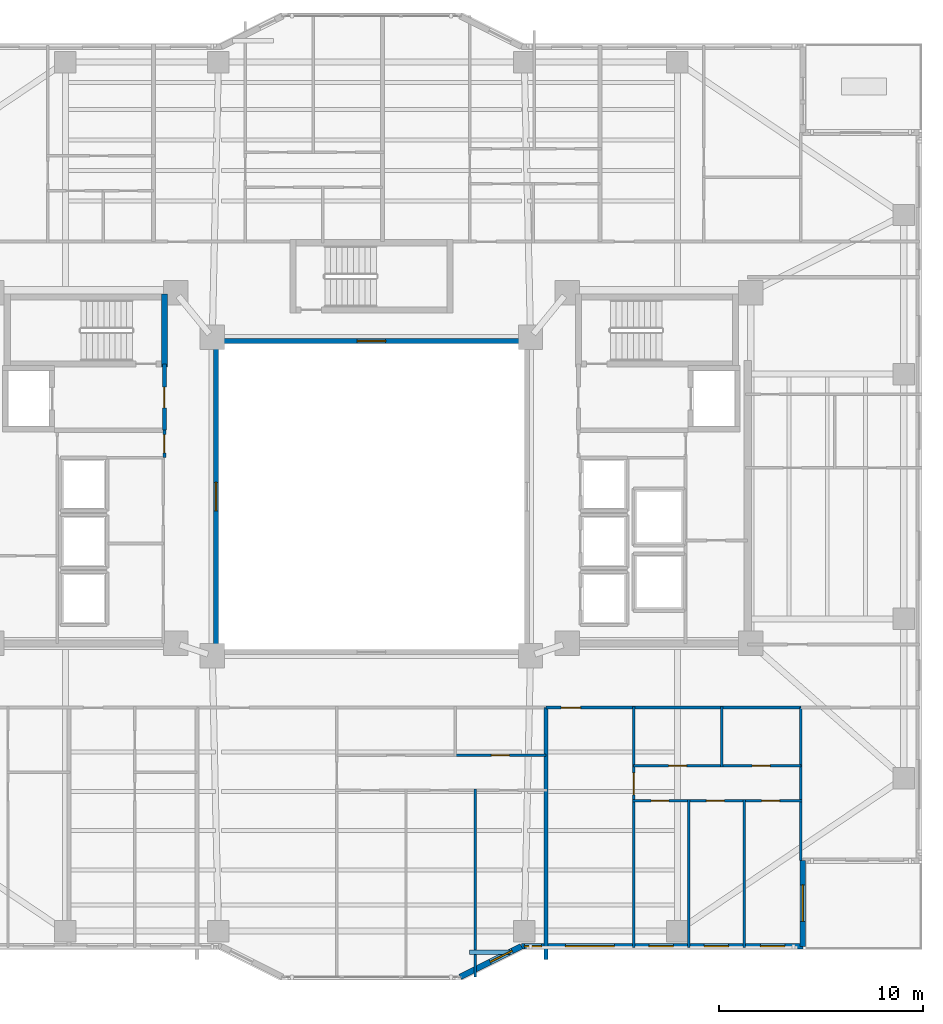
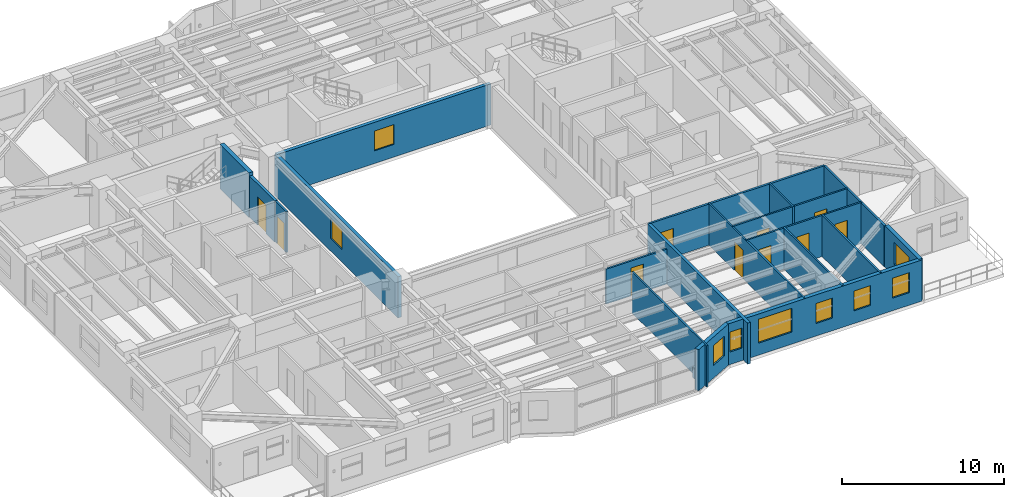
# One storey, part 8 of 19: 21 walls, 10 doors, 9 windows, 19 openings.
"""IFC4 building model written with IfcOpenShell, lengths in metres."""

from ifc_helpers import new_model, si_unit, direction, frame, frame_2d, origin, place, context, subcontext, project, spatial, rectangle, extrude, material, layer, layer_set, type_object, element, fill, save


model = new_model("IFC4")

# Units and contexts
model_context = context("Model", 3, precision=1e-05, world=origin(), true_north=direction((0.0, 1.0)))
body_context = subcontext(model_context, "Body", "Model", "MODEL_VIEW")
ifc_project = project(units=[si_unit("LENGTHUNIT", "METRE"), si_unit("AREAUNIT", "SQUARE_METRE"), si_unit("VOLUMEUNIT", "CUBIC_METRE"), si_unit("PLANEANGLEUNIT", "RADIAN"), si_unit("MASSUNIT", "GRAM", prefix="KILO")], contexts=[model_context])

# Site, building, storey
site_placement = place(None, origin())
site = spatial("IfcSite", under=ifc_project, at=site_placement, CompositionType="ELEMENT")
building_placement = place(site_placement, origin())
building = spatial("IfcBuilding", under=site, at=building_placement, Name="Tarnavaz Court Tower", CompositionType="ELEMENT")
storey_placement = place(building_placement, frame((0.0, 0.0, 78.300048828125)))
storey = spatial("IfcBuildingStorey", under=building, at=storey_placement, Name="L20", CompositionType="ELEMENT", Elevation=78.300048828125)

# Wall
ifc_material_1 = material(Name="Concrete C60/75", Category="concrete")
ifc_layer_1 = layer(ifc_material_1, 0.300048828125)
ifc_layer_set_1 = layer_set([ifc_layer_1], Name="Concrete C60/75")
wall_type_1 = type_object("IfcWallType", Name="WL-CORE-300-C60", PredefinedType="SHEAR", material=ifc_layer_set_1)
wall_1_placement = place(storey_placement, frame((-10.14990234375, 6.35009765625, 0.0), z_axis=(0.0, 0.0, 1.0), x_axis=(0.0, 1.0, 0.0)))
element("IfcWall", 1, at=wall_1_placement, inside=storey, type_object=wall_type_1, Name="L20 West Stair Core Wall 004", PredefinedType="SHEAR", context=body_context, shape_type="SweptSolid", body=[
    extrude(rectangle(XDim=3.58984375, YDim=0.300048828125, at=frame_2d((1.794921875, 0.0))), origin(), (0.0, 0.0, 1.0), 3.349853515625),
])

# Wall, opening, window
ifc_material_2 = material(Name="Precast Concrete C40/50", Category="concrete")
ifc_layer_2 = layer(ifc_material_2, 0.280029296875)
ifc_layer_set_2 = layer_set([ifc_layer_2], Name="Precast Concrete C40/50")
wall_type_2 = type_object("IfcWallType", Name="WL-EXT-280", PredefinedType="SOLIDWALL", material=ifc_layer_set_2)
wall_2_placement = place(storey_placement, frame((21.14990234375, -17.85009765625, 0.0), z_axis=(0.0, 0.0, 1.0), x_axis=(0.0, -1.0, 0.0)))
wall_2 = element("IfcWall", 2, at=wall_2_placement, inside=storey, type_object=wall_type_2, Name="L20 Exterior Terracotta Facade Wall 14", PredefinedType="SOLIDWALL", context=body_context, shape_type="SweptSolid", body=[
    extrude(rectangle(XDim=4.199951171875, YDim=0.280029296875, at=frame_2d((2.10009765625, 0.0))), origin(), (0.0, 0.0, 1.0), 3.099853515625),
])
opening_1_placement = place(wall_2_placement, frame((1.18212890625, 0.0, 0.89990234375)))
opening_1 = element("IfcOpeningElement", 3, at=opening_1_placement, cuts=wall_2, Name="Opening W01", PredefinedType="OPENING", context=body_context, shape_type="SweptSolid", body=[
    extrude(rectangle(XDim=1.800048828125, YDim=1.64990234375, at=frame_2d((0.89990234375, 0.824951171875))), frame((0.0, 0.14990234375, 0.0), z_axis=(0.0, -1.0, 0.0), x_axis=(1.0, 0.0, 0.0)), (0.0, 0.0, 1.0), 0.300048828125),
])
ifc_material_3 = material(Name="Double-Glazed Solar Low-E Glass", Category="glass")
window_type_1 = type_object("IfcWindowType", Name="WN-APT-1800", PartitioningType="DOUBLE_PANEL_VERTICAL", PredefinedType="WINDOW", material=ifc_material_3)
window_1_placement = place(opening_1_placement, origin())
window_1 = element("IfcWindow", 4, at=window_1_placement, inside=storey, type_object=window_type_1, Name="L20 Flat 07 Bedroom 3 Window", OverallHeight=1.64990234375, OverallWidth=1.800048828125, PartitioningType="SINGLE_PANEL", PredefinedType="WINDOW", context=body_context, shape_type="SweptSolid", body=[
    extrude(rectangle(XDim=1.800048828125, YDim=1.64990234375, at=frame_2d((0.89990234375, 0.824951171875))), frame((0.0, 0.030029296875, 0.0), z_axis=(0.0, -1.0, 0.0), x_axis=(1.0, 0.0, 0.0)), (0.0, 0.0, 1.0), 0.06005859375),
])
fill(opening_1, window_1)

# Wall, openings, windows
wall_3_placement = place(storey_placement, frame((21.14990234375, -22.050048828125, 0.0), z_axis=(0.0, 0.0, 1.0), x_axis=(-1.0, 0.0, 0.0)))
wall_3 = element("IfcWall", 5, at=wall_3_placement, inside=storey, type_object=wall_type_2, Name="L20 Exterior Terracotta Facade Wall 15", PredefinedType="SOLIDWALL", context=body_context, shape_type="SweptSolid", body=[
    extrude(rectangle(XDim=13.7998046875, YDim=0.280029296875, at=frame_2d((6.89990234375, 0.0))), origin(), (0.0, 0.0, 1.0), 3.099853515625),
])
opening_2_placement = place(wall_3_placement, frame((0.88037109375, 0.0, 0.949951171875)))
opening_2 = element("IfcOpeningElement", 6, at=opening_2_placement, cuts=wall_3, Name="Opening W05", PredefinedType="OPENING", context=body_context, shape_type="SweptSolid", body=[
    extrude(rectangle(XDim=1.199951171875, YDim=1.5, at=frame_2d((0.60009765625, 0.75))), frame((0.0, 0.14990234375, 0.0), z_axis=(0.0, -1.0, 0.0), x_axis=(1.0, 0.0, 0.0)), (0.0, 0.0, 1.0), 0.300048828125),
])
opening_3_placement = place(wall_3_placement, frame((3.640380859375, 0.0, 0.949951171875)))
opening_3 = element("IfcOpeningElement", 7, at=opening_3_placement, cuts=wall_3, Name="Opening W05", PredefinedType="OPENING", context=body_context, shape_type="SweptSolid", body=[
    extrude(rectangle(XDim=1.199951171875, YDim=1.5, at=frame_2d((0.60009765625, 0.75))), frame((0.0, 0.14990234375, 0.0), z_axis=(0.0, -1.0, 0.0), x_axis=(1.0, 0.0, 0.0)), (0.0, 0.0, 1.0), 0.300048828125),
])
opening_4_placement = place(wall_3_placement, frame((6.35009765625, 0.0, 0.949951171875)))
opening_4 = element("IfcOpeningElement", 8, at=opening_4_placement, cuts=wall_3, Name="Opening W05", PredefinedType="OPENING", context=body_context, shape_type="SweptSolid", body=[
    extrude(rectangle(XDim=1.199951171875, YDim=1.5, at=frame_2d((0.60009765625, 0.75))), frame((0.0, 0.14990234375, 0.0), z_axis=(0.0, -1.0, 0.0), x_axis=(1.0, 0.0, 0.0)), (0.0, 0.0, 1.0), 0.300048828125),
])
opening_5_placement = place(wall_3_placement, frame((9.23779296875, 0.0, 0.89990234375)))
opening_5 = element("IfcOpeningElement", 9, at=opening_5_placement, cuts=wall_3, Name="Opening W06", PredefinedType="OPENING", context=body_context, shape_type="SweptSolid", body=[
    extrude(rectangle(XDim=2.39990234375, YDim=1.800048828125, at=frame_2d((1.199951171875, 0.89990234375))), frame((0.0, 0.14990234375, 0.0), z_axis=(0.0, -1.0, 0.0), x_axis=(1.0, 0.0, 0.0)), (0.0, 0.0, 1.0), 0.300048828125),
])
opening_6_placement = place(wall_3_placement, frame((12.802978515625, 0.0, 0.949951171875)))
opening_6 = element("IfcOpeningElement", 10, at=opening_6_placement, cuts=wall_3, Name="Opening W15", PredefinedType="OPENING", context=body_context, shape_type="SweptSolid", body=[
    extrude(rectangle(XDim=0.85009765625, YDim=1.5, at=frame_2d((0.425048828125, 0.75))), frame((0.0, 0.14990234375, 0.0), z_axis=(0.0, -1.0, 0.0), x_axis=(1.0, 0.0, 0.0)), (0.0, 0.0, 1.0), 0.300048828125),
])
window_type_2 = type_object("IfcWindowType", Name="WN-APT-1200", PartitioningType="SINGLE_PANEL", PredefinedType="WINDOW", material=ifc_material_3)
window_2_placement = place(opening_2_placement, origin())
window_2 = element("IfcWindow", 11, at=window_2_placement, inside=storey, type_object=window_type_2, Name="L20 Flat 07 Bedroom 3 Window", OverallHeight=1.5, OverallWidth=1.199951171875, PartitioningType="SINGLE_PANEL", PredefinedType="WINDOW", context=body_context, shape_type="SweptSolid", body=[
    extrude(rectangle(XDim=1.199951171875, YDim=1.5, at=frame_2d((0.60009765625, 0.75))), frame((0.0, 0.030029296875, 0.0), z_axis=(0.0, -1.0, 0.0), x_axis=(1.0, 0.0, 0.0)), (0.0, 0.0, 1.0), 0.06005859375),
])
fill(opening_2, window_2)
window_3_placement = place(opening_3_placement, origin())
window_3 = element("IfcWindow", 12, at=window_3_placement, inside=storey, type_object=window_type_2, Name="L20 Flat 07 Bedroom 2 Window", OverallHeight=1.5, OverallWidth=1.199951171875, PartitioningType="SINGLE_PANEL", PredefinedType="WINDOW", context=body_context, shape_type="SweptSolid", body=[
    extrude(rectangle(XDim=1.199951171875, YDim=1.5, at=frame_2d((0.60009765625, 0.75))), frame((0.0, 0.030029296875, 0.0), z_axis=(0.0, -1.0, 0.0), x_axis=(1.0, 0.0, 0.0)), (0.0, 0.0, 1.0), 0.06005859375),
])
fill(opening_3, window_3)
window_4_placement = place(opening_4_placement, origin())
window_4 = element("IfcWindow", 13, at=window_4_placement, inside=storey, type_object=window_type_2, Name="L20 Flat 07 Principal Bedroom Window", OverallHeight=1.5, OverallWidth=1.199951171875, PartitioningType="SINGLE_PANEL", PredefinedType="WINDOW", context=body_context, shape_type="SweptSolid", body=[
    extrude(rectangle(XDim=1.199951171875, YDim=1.5, at=frame_2d((0.60009765625, 0.75))), frame((0.0, 0.030029296875, 0.0), z_axis=(0.0, -1.0, 0.0), x_axis=(1.0, 0.0, 0.0)), (0.0, 0.0, 1.0), 0.06005859375),
])
fill(opening_4, window_4)
window_type_3 = type_object("IfcWindowType", Name="WN-APT-2400", PartitioningType="TRIPLE_PANEL_VERTICAL", PredefinedType="WINDOW", material=ifc_material_3)
window_5_placement = place(opening_5_placement, origin())
window_5 = element("IfcWindow", 14, at=window_5_placement, inside=storey, type_object=window_type_3, Name="L20 Flat 07 Living and Dining Room Window", OverallHeight=1.800048828125, OverallWidth=2.39990234375, PartitioningType="SINGLE_PANEL", PredefinedType="WINDOW", context=body_context, shape_type="SweptSolid", body=[
    extrude(rectangle(XDim=2.39990234375, YDim=1.800048828125, at=frame_2d((1.199951171875, 0.89990234375))), frame((0.0, 0.030029296875, 0.0), z_axis=(0.0, -1.0, 0.0), x_axis=(1.0, 0.0, 0.0)), (0.0, 0.0, 1.0), 0.06005859375),
])
fill(opening_5, window_5)
window_type_4 = type_object("IfcWindowType", Name="WN-APT-850", PartitioningType="SINGLE_PANEL", PredefinedType="WINDOW", material=ifc_material_3)
window_6_placement = place(opening_6_placement, origin())
window_6 = element("IfcWindow", 15, at=window_6_placement, inside=storey, type_object=window_type_4, Name="L20 Flat 08 Bedroom 3 Window", OverallHeight=1.5, OverallWidth=0.85009765625, PartitioningType="SINGLE_PANEL", PredefinedType="WINDOW", context=body_context, shape_type="SweptSolid", body=[
    extrude(rectangle(XDim=0.85009765625, YDim=1.5, at=frame_2d((0.425048828125, 0.75))), frame((0.0, 0.030029296875, 0.0), z_axis=(0.0, -1.0, 0.0), x_axis=(1.0, 0.0, 0.0)), (0.0, 0.0, 1.0), 0.06005859375),
])
fill(opening_6, window_6)

# Wall, opening, window
wall_4_placement = place(storey_placement, frame((7.35009765625, -22.050048828125, 0.0), z_axis=(0.0, 0.0, 1.0), x_axis=(-0.894427191, -0.4472135955, 0.0)))
wall_4 = element("IfcWall", 16, at=wall_4_placement, inside=storey, type_object=wall_type_2, Name="L20 Exterior Terracotta Facade Wall 16", PredefinedType="SOLIDWALL", context=body_context, shape_type="SweptSolid", body=[
    extrude(rectangle(XDim=3.35400390625, YDim=0.280029296875, at=frame_2d((1.677001953125, 0.0))), origin(), (0.0, 0.0, 1.0), 3.099853515625),
])
opening_7_placement = place(wall_4_placement, frame((0.501220703125, 0.0, 0.949951171875)))
opening_7 = element("IfcOpeningElement", 17, at=opening_7_placement, cuts=wall_4, Name="Opening W05", PredefinedType="OPENING", context=body_context, shape_type="SweptSolid", body=[
    extrude(rectangle(XDim=1.199951171875, YDim=1.5, at=frame_2d((0.60009765625, 0.75))), frame((0.0, 0.14990234375, 0.0), z_axis=(0.0, -1.0, 0.0), x_axis=(1.0, 0.0, 0.0)), (0.0, 0.0, 1.0), 0.300048828125),
])
window_7_placement = place(opening_7_placement, origin())
window_7 = element("IfcWindow", 18, at=window_7_placement, inside=storey, type_object=window_type_2, Name="L20 Flat 08 Bedroom 3 Window", OverallHeight=1.5, OverallWidth=1.199951171875, PartitioningType="SINGLE_PANEL", PredefinedType="WINDOW", context=body_context, shape_type="SweptSolid", body=[
    extrude(rectangle(XDim=1.199951171875, YDim=1.5, at=frame_2d((0.60009765625, 0.75))), frame((0.0, 0.030029296875, 0.0), z_axis=(0.0, -1.0, 0.0), x_axis=(1.0, 0.0, 0.0)), (0.0, 0.0, 1.0), 0.06005859375),
])
fill(opening_7, window_7)

# Wall, opening, door
ifc_material_4 = material(Name="Gypsum Fire-Board on Acoustic Metal Stud", Category="masonry")
ifc_layer_3 = layer(ifc_material_4, 0.14990234375)
ifc_layer_set_3 = layer_set([ifc_layer_3], Name="Gypsum Fire-Board on Acoustic Metal Stud")
wall_type_3 = type_object("IfcWallType", Name="WL-FIRE-150", PredefinedType="PARTITIONING", material=ifc_layer_set_3)
wall_5_placement = place(storey_placement, frame((8.550048828125, -10.35009765625, 0.0), z_axis=(0.0, 0.0, 1.0), x_axis=(1.0, 0.0, 0.0)))
wall_5 = element("IfcWall", 19, at=wall_5_placement, inside=storey, type_object=wall_type_3, Name="L20 SE Horseshoe Wall 074", PredefinedType="PARTITIONING", context=body_context, shape_type="SweptSolid", body=[
    extrude(rectangle(XDim=12.5, YDim=0.14990234375, at=frame_2d((6.25, 0.0))), origin(), (0.0, 0.0, 1.0), 3.099853515625),
])
opening_8_placement = place(wall_5_placement, frame((0.75, 0.0, 0.0)))
opening_8 = element("IfcOpeningElement", 20, at=opening_8_placement, cuts=wall_5, Name="Opening D06", PredefinedType="OPENING", context=body_context, shape_type="SweptSolid", body=[
    extrude(rectangle(XDim=0.9599609375, YDim=2.14990234375, at=frame_2d((0.47998046875, 1.074951171875))), frame((0.0, 0.0849609375, 0.0), z_axis=(0.0, -1.0, 0.0), x_axis=(1.0, 0.0, 0.0)), (0.0, 0.0, 1.0), 0.169921875),
])
ifc_material_5 = material(Name="Fire-Rated Hardwood Timber Core", Category="wood")
door_type_1 = type_object("IfcDoorType", Name="DR-FD60-950", OperationType="NOTDEFINED", PredefinedType="DOOR", material=ifc_material_5)
door_1_placement = place(opening_8_placement, origin())
door_1 = element("IfcDoor", 21, at=door_1_placement, inside=storey, type_object=door_type_1, Name="L20 Flat 07 Entrance Door", OperationType="SINGLE_SWING_LEFT", OverallHeight=2.14990234375, OverallWidth=0.9599609375, PredefinedType="DOOR", context=body_context, shape_type="SweptSolid", body=[
    extrude(rectangle(XDim=0.9599609375, YDim=2.14990234375, at=frame_2d((0.47998046875, 1.074951171875))), frame((0.0, 0.02490234375, 0.0), z_axis=(0.0, -1.0, 0.0), x_axis=(1.0, 0.0, 0.0)), (0.0, 0.0, 1.0), 0.050048828125),
])
fill(opening_8, door_1)

ifc_material_6 = material(Name="Autoclaved Aerated Concrete Blockwork", Category="masonry")
ifc_layer_4 = layer(ifc_material_6, 0.199951171875)
ifc_layer_set_4 = layer_set([ifc_layer_4], Name="Autoclaved Aerated Concrete Blockwork")
wall_type_4 = type_object("IfcWallType", Name="WL-FIRE-200", PredefinedType="SOLIDWALL", material=ifc_layer_set_4)
wall_6_placement = place(storey_placement, frame((-10.14990234375, 3.25, 0.0), z_axis=(0.0, 0.0, 1.0), x_axis=(0.0, 1.0, 0.0)))
wall_6 = element("IfcWall", 22, at=wall_6_placement, inside=storey, type_object=wall_type_4, Name="L20 West Firefighting Lobby Wall 014", PredefinedType="SOLIDWALL", context=body_context, shape_type="SweptSolid", body=[
    extrude(rectangle(XDim=3.25, YDim=0.199951171875, at=frame_2d((1.625, 0.0))), origin(), (0.0, 0.0, 1.0), 3.099853515625),
])
opening_9_placement = place(wall_6_placement, frame((1.10009765625, 0.0, 0.0)))
opening_9 = element("IfcOpeningElement", 23, at=opening_9_placement, cuts=wall_6, Name="Opening D05", PredefinedType="OPENING", context=body_context, shape_type="SweptSolid", body=[
    extrude(rectangle(XDim=1.02001953125, YDim=2.14990234375, at=frame_2d((0.510009765625, 1.074951171875))), frame((0.0, 0.10986328125, 0.0), z_axis=(0.0, -1.0, 0.0), x_axis=(1.0, 0.0, 0.0)), (0.0, 0.0, 1.0), 0.219970703125),
])
door_type_2 = type_object("IfcDoorType", Name="DR-FD60-1000", OperationType="NOTDEFINED", PredefinedType="DOOR", material=ifc_material_5)
door_2_placement = place(opening_9_placement, origin())
door_2 = element("IfcDoor", 24, at=door_2_placement, inside=storey, type_object=door_type_2, Name="L20 West Firefighting Lobby Door", OperationType="SINGLE_SWING_RIGHT", OverallHeight=2.14990234375, OverallWidth=1.02001953125, PredefinedType="DOOR", context=body_context, shape_type="SweptSolid", body=[
    extrude(rectangle(XDim=1.02001953125, YDim=2.14990234375, at=frame_2d((0.510009765625, 1.074951171875))), frame((0.0, 0.02490234375, 0.0), z_axis=(0.0, -1.0, 0.0), x_axis=(1.0, 0.0, 0.0)), (0.0, 0.0, 1.0), 0.050048828125),
])
fill(opening_9, door_2)

# Walls
wall_7_placement = place(storey_placement, frame((8.550048828125, -22.7041015625, 0.0), z_axis=(0.0, 0.0, 1.0), x_axis=(0.0, 1.0, 0.0)))
element("IfcWall", 25, at=wall_7_placement, inside=storey, type_object=wall_type_4, Name="L20 Party Wall 113", PredefinedType="SOLIDWALL", context=body_context, shape_type="SweptSolid", body=[
    extrude(rectangle(XDim=12.35400390625, YDim=0.199951171875, at=frame_2d((6.177001953125, 0.0))), origin(), (0.0, 0.0, 1.0), 3.099853515625),
])
ifc_layer_5 = layer(ifc_material_2, 0.219970703125)
ifc_layer_set_5 = layer_set([ifc_layer_5], Name="Precast Concrete C40/50")
wall_type_5 = type_object("IfcWallType", Name="WL-PARAPET-220", PredefinedType="PARAPET", material=ifc_layer_set_5)
wall_8_placement = place(storey_placement, frame((4.800048828125, -22.35009765625, 0.0), z_axis=(0.0, 0.0, 1.0), x_axis=(1.0, 0.0, 0.0)))
element("IfcWall", 26, at=wall_8_placement, inside=storey, type_object=wall_type_5, Name="L20 South Prow Terracotta Parapet Upstand", PredefinedType="PARAPET", context=body_context, shape_type="SweptSolid", body=[
    extrude(rectangle(XDim=2.0, YDim=0.219970703125, at=frame_2d((1.0, 0.0))), origin(), (0.0, 0.0, 1.0), 0.849853515625),
])

# Wall, opening, door
ifc_material_7 = material(Name="Moisture-Resistant Gypsum Board Partition", Category="masonry")
ifc_layer_6 = layer(ifc_material_7, 0.1201171875)
ifc_layer_set_6 = layer_set([ifc_layer_6], Name="Moisture-Resistant Gypsum Board Partition")
wall_type_6 = type_object("IfcWallType", Name="WL-PART-120", PredefinedType="PARTITIONING", material=ifc_layer_set_6)
wall_9_placement = place(storey_placement, frame((12.85205078125, -22.10009765625, 0.0), z_axis=(0.0, 0.0, 1.0), x_axis=(0.0, 1.0, 0.0)))
wall_9 = element("IfcWall", 27, at=wall_9_placement, inside=storey, type_object=wall_type_6, Name="L20 Interior Partition 105", PredefinedType="PARTITIONING", context=body_context, shape_type="SweptSolid", body=[
    extrude(rectangle(XDim=11.81005859375, YDim=0.1201171875, at=frame_2d((5.905029296875, 0.0))), origin(), (0.0, 0.0, 1.0), 3.099853515625),
])
opening_10_placement = place(wall_9_placement, frame((7.47509765625, 0.0, 0.0)))
opening_10 = element("IfcOpeningElement", 28, at=opening_10_placement, cuts=wall_9, Name="Opening D12", PredefinedType="OPENING", context=body_context, shape_type="SweptSolid", body=[
    extrude(rectangle(XDim=1.080078125, YDim=2.14990234375, at=frame_2d((0.5400390625, 1.074951171875))), frame((0.0, 0.070068359375, 0.0), z_axis=(0.0, -1.0, 0.0), x_axis=(1.0, 0.0, 0.0)), (0.0, 0.0, 1.0), 0.14013671875),
])
ifc_material_8 = material(Name="Engineered Oak Timber", Category="wood")
door_type_3 = type_object("IfcDoorType", Name="DR-INT-1100", OperationType="NOTDEFINED", PredefinedType="DOOR", material=ifc_material_8)
door_3_placement = place(opening_10_placement, origin())
door_3 = element("IfcDoor", 29, at=door_3_placement, inside=storey, type_object=door_type_3, Name="L20 Flat 07 Foyer Door", OperationType="SINGLE_SWING_RIGHT", OverallHeight=2.14990234375, OverallWidth=1.080078125, PredefinedType="DOOR", context=body_context, shape_type="SweptSolid", body=[
    extrude(rectangle(XDim=1.080078125, YDim=2.14990234375, at=frame_2d((0.5400390625, 1.074951171875))), frame((0.0, 0.02490234375, 0.0), z_axis=(0.0, -1.0, 0.0), x_axis=(1.0, 0.0, 0.0)), (0.0, 0.0, 1.0), 0.050048828125),
])
fill(opening_10, door_3)

wall_10_placement = place(storey_placement, frame((12.85205078125, -13.199951171875, 0.0), z_axis=(0.0, 0.0, 1.0), x_axis=(1.0, 0.0, 0.0)))
wall_10 = element("IfcWall", 30, at=wall_10_placement, inside=storey, type_object=wall_type_6, Name="L20 Interior Partition 106", PredefinedType="PARTITIONING", context=body_context, shape_type="SweptSolid", body=[
    extrude(rectangle(XDim=4.31298828125, YDim=0.1201171875, at=frame_2d((2.156494140625, 0.0))), origin(), (0.0, 0.0, 1.0), 3.099853515625),
])
opening_11_placement = place(wall_10_placement, frame((1.716064453125, 0.0, 0.0)))
opening_11 = element("IfcOpeningElement", 31, at=opening_11_placement, cuts=wall_10, Name="Opening D14", PredefinedType="OPENING", context=body_context, shape_type="SweptSolid", body=[
    extrude(rectangle(XDim=0.8798828125, YDim=2.10009765625, at=frame_2d((0.43994140625, 1.050048828125))), frame((0.0, 0.070068359375, 0.0), z_axis=(0.0, -1.0, 0.0), x_axis=(1.0, 0.0, 0.0)), (0.0, 0.0, 1.0), 0.14013671875),
])
door_type_4 = type_object("IfcDoorType", Name="DR-INT-900", OperationType="NOTDEFINED", PredefinedType="DOOR", material=ifc_material_8)
door_4_placement = place(opening_11_placement, origin())
door_4 = element("IfcDoor", 32, at=door_4_placement, inside=storey, type_object=door_type_4, Name="L20 Flat 07 Kitchen Door", OperationType="SINGLE_SWING_LEFT", OverallHeight=2.10009765625, OverallWidth=0.8798828125, PredefinedType="DOOR", context=body_context, shape_type="SweptSolid", body=[
    extrude(rectangle(XDim=0.8798828125, YDim=2.10009765625, at=frame_2d((0.43994140625, 1.050048828125))), frame((0.0, 0.02490234375, 0.0), z_axis=(0.0, -1.0, 0.0), x_axis=(1.0, 0.0, 0.0)), (0.0, 0.0, 1.0), 0.050048828125),
])
fill(opening_11, door_4)

wall_11_placement = place(storey_placement, frame((17.1650390625, -13.199951171875, 0.0), z_axis=(0.0, 0.0, 1.0), x_axis=(1.0, 0.0, 0.0)))
wall_11 = element("IfcWall", 33, at=wall_11_placement, inside=storey, type_object=wall_type_6, Name="L20 Interior Partition 107", PredefinedType="PARTITIONING", context=body_context, shape_type="SweptSolid", body=[
    extrude(rectangle(XDim=3.885009765625, YDim=0.1201171875, at=frame_2d((1.9423828125, 0.0))), origin(), (0.0, 0.0, 1.0), 3.099853515625),
])
opening_12_placement = place(wall_11_placement, frame((1.5029296875, 0.0, 0.0)))
opening_12 = element("IfcOpeningElement", 34, at=opening_12_placement, cuts=wall_11, Name="Opening D14", PredefinedType="OPENING", context=body_context, shape_type="SweptSolid", body=[
    extrude(rectangle(XDim=0.8798828125, YDim=2.10009765625, at=frame_2d((0.43994140625, 1.050048828125))), frame((0.0, 0.070068359375, 0.0), z_axis=(0.0, -1.0, 0.0), x_axis=(1.0, 0.0, 0.0)), (0.0, 0.0, 1.0), 0.14013671875),
])
door_5_placement = place(opening_12_placement, origin())
door_5 = element("IfcDoor", 35, at=door_5_placement, inside=storey, type_object=door_type_4, Name="L20 Flat 07 Bathroom Door", OperationType="SINGLE_SWING_RIGHT", OverallHeight=2.10009765625, OverallWidth=0.8798828125, PredefinedType="DOOR", context=body_context, shape_type="SweptSolid", body=[
    extrude(rectangle(XDim=0.8798828125, YDim=2.10009765625, at=frame_2d((0.43994140625, 1.050048828125))), frame((0.0, 0.02490234375, 0.0), z_axis=(0.0, -1.0, 0.0), x_axis=(1.0, 0.0, 0.0)), (0.0, 0.0, 1.0), 0.050048828125),
])
fill(opening_12, door_5)

# Wall, openings, doors
wall_12_placement = place(storey_placement, frame((12.7919921875, -14.909912109375, 0.0), z_axis=(0.0, 0.0, 1.0), x_axis=(1.0, 0.0, 0.0)))
wall_12 = element("IfcWall", 36, at=wall_12_placement, inside=storey, type_object=wall_type_6, Name="L20 Interior Partition 108", PredefinedType="PARTITIONING", context=body_context, shape_type="SweptSolid", body=[
    extrude(rectangle(XDim=8.318115234375, YDim=0.1201171875, at=frame_2d((4.1591796875, 0.0))), origin(), (0.0, 0.0, 1.0), 3.099853515625),
])
opening_13_placement = place(wall_12_placement, frame((0.916015625, 0.0, 0.0)))
opening_13 = element("IfcOpeningElement", 37, at=opening_13_placement, cuts=wall_12, Name="Opening D14", PredefinedType="OPENING", context=body_context, shape_type="SweptSolid", body=[
    extrude(rectangle(XDim=0.8798828125, YDim=2.10009765625, at=frame_2d((0.43994140625, 1.050048828125))), frame((0.0, 0.070068359375, 0.0), z_axis=(0.0, -1.0, 0.0), x_axis=(1.0, 0.0, 0.0)), (0.0, 0.0, 1.0), 0.14013671875),
])
opening_14_placement = place(wall_12_placement, frame((3.62890625, 0.0, 0.0)))
opening_14 = element("IfcOpeningElement", 38, at=opening_14_placement, cuts=wall_12, Name="Opening D14", PredefinedType="OPENING", context=body_context, shape_type="SweptSolid", body=[
    extrude(rectangle(XDim=0.8798828125, YDim=2.10009765625, at=frame_2d((0.43994140625, 1.050048828125))), frame((0.0, 0.070068359375, 0.0), z_axis=(0.0, -1.0, 0.0), x_axis=(1.0, 0.0, 0.0)), (0.0, 0.0, 1.0), 0.14013671875),
])
opening_15_placement = place(wall_12_placement, frame((6.342041015625, 0.0, 0.0)))
opening_15 = element("IfcOpeningElement", 39, at=opening_15_placement, cuts=wall_12, Name="Opening D14", PredefinedType="OPENING", context=body_context, shape_type="SweptSolid", body=[
    extrude(rectangle(XDim=0.8798828125, YDim=2.10009765625, at=frame_2d((0.43994140625, 1.050048828125))), frame((0.0, 0.070068359375, 0.0), z_axis=(0.0, -1.0, 0.0), x_axis=(1.0, 0.0, 0.0)), (0.0, 0.0, 1.0), 0.14013671875),
])
door_6_placement = place(opening_13_placement, origin())
door_6 = element("IfcDoor", 40, at=door_6_placement, inside=storey, type_object=door_type_4, Name="L20 Flat 07 Bedroom 1 Door", OperationType="SINGLE_SWING_LEFT", OverallHeight=2.10009765625, OverallWidth=0.8798828125, PredefinedType="DOOR", context=body_context, shape_type="SweptSolid", body=[
    extrude(rectangle(XDim=0.8798828125, YDim=2.10009765625, at=frame_2d((0.43994140625, 1.050048828125))), frame((0.0, 0.02490234375, 0.0), z_axis=(0.0, -1.0, 0.0), x_axis=(1.0, 0.0, 0.0)), (0.0, 0.0, 1.0), 0.050048828125),
])
fill(opening_13, door_6)
door_7_placement = place(opening_14_placement, origin())
door_7 = element("IfcDoor", 41, at=door_7_placement, inside=storey, type_object=door_type_4, Name="L20 Flat 07 Bedroom 2 Door", OperationType="SINGLE_SWING_RIGHT", OverallHeight=2.10009765625, OverallWidth=0.8798828125, PredefinedType="DOOR", context=body_context, shape_type="SweptSolid", body=[
    extrude(rectangle(XDim=0.8798828125, YDim=2.10009765625, at=frame_2d((0.43994140625, 1.050048828125))), frame((0.0, 0.02490234375, 0.0), z_axis=(0.0, -1.0, 0.0), x_axis=(1.0, 0.0, 0.0)), (0.0, 0.0, 1.0), 0.050048828125),
])
fill(opening_14, door_7)
door_8_placement = place(opening_15_placement, origin())
door_8 = element("IfcDoor", 42, at=door_8_placement, inside=storey, type_object=door_type_4, Name="L20 Flat 07 Bedroom 3 Door", OperationType="SINGLE_SWING_LEFT", OverallHeight=2.10009765625, OverallWidth=0.8798828125, PredefinedType="DOOR", context=body_context, shape_type="SweptSolid", body=[
    extrude(rectangle(XDim=0.8798828125, YDim=2.10009765625, at=frame_2d((0.43994140625, 1.050048828125))), frame((0.0, 0.02490234375, 0.0), z_axis=(0.0, -1.0, 0.0), x_axis=(1.0, 0.0, 0.0)), (0.0, 0.0, 1.0), 0.050048828125),
])
fill(opening_15, door_8)

# Walls
wall_13_placement = place(storey_placement, frame((17.1650390625, -13.260009765625, 0.0), z_axis=(0.0, 0.0, 1.0), x_axis=(0.0, 1.0, 0.0)))
element("IfcWall", 43, at=wall_13_placement, inside=storey, type_object=wall_type_6, Name="L20 Interior Partition 109", PredefinedType="PARTITIONING", context=body_context, shape_type="SweptSolid", body=[
    extrude(rectangle(XDim=2.969970703125, YDim=0.1201171875, at=frame_2d((1.48486328125, 0.0))), origin(), (0.0, 0.0, 1.0), 3.099853515625),
])
for number, where, z_axis, x_axis, name in (
    (44, (15.56494140625, -22.10009765625, 0.0), (0.0, 0.0, 1.0), (0.0, 1.0, 0.0), "L20 Interior Partition 110"),
    (45, (18.277099609375, -22.10009765625, 0.0), (0.0, 0.0, 1.0), (0.0, 1.0, 0.0), "L20 Interior Partition 111"),
):
    element("IfcWall", number, at=place(storey_placement, frame(where, z_axis=z_axis, x_axis=x_axis)), inside=storey, type_object=wall_type_6, Name=name, PredefinedType="PARTITIONING", context=body_context, shape_type="SweptSolid", body=[
        extrude(rectangle(XDim=7.25, YDim=0.1201171875, at=frame_2d((3.625, 0.0))), origin(), (0.0, 0.0, 1.0), 3.099853515625),
    ])

# Wall, opening, door
wall_14_placement = place(storey_placement, frame((4.10400390625, -12.68994140625, 0.0), z_axis=(0.0, 0.0, 1.0), x_axis=(1.0, 0.0, 0.0)))
wall_14 = element("IfcWall", 46, at=wall_14_placement, inside=storey, type_object=wall_type_6, Name="L20 Interior Partition 117", PredefinedType="PARTITIONING", context=body_context, shape_type="SweptSolid", body=[
    extrude(rectangle(XDim=4.446044921875, YDim=0.1201171875, at=frame_2d((2.22314453125, 0.0))), origin(), (0.0, 0.0, 1.0), 2.635009765625),
])
opening_16_placement = place(wall_14_placement, frame((1.782958984375, 0.0, 0.0)))
opening_16 = element("IfcOpeningElement", 47, at=opening_16_placement, cuts=wall_14, Name="Opening D14", PredefinedType="OPENING", context=body_context, shape_type="SweptSolid", body=[
    extrude(rectangle(XDim=0.8798828125, YDim=2.10009765625, at=frame_2d((0.43994140625, 1.050048828125))), frame((0.0, 0.070068359375, 0.0), z_axis=(0.0, -1.0, 0.0), x_axis=(1.0, 0.0, 0.0)), (0.0, 0.0, 1.0), 0.14013671875),
])
door_9_placement = place(opening_16_placement, origin())
door_9 = element("IfcDoor", 48, at=door_9_placement, inside=storey, type_object=door_type_4, Name="L20 Flat 08 Bathroom Door", OperationType="SINGLE_SWING_LEFT", OverallHeight=2.10009765625, OverallWidth=0.8798828125, PredefinedType="DOOR", context=body_context, shape_type="SweptSolid", body=[
    extrude(rectangle(XDim=0.8798828125, YDim=2.10009765625, at=frame_2d((0.43994140625, 1.050048828125))), frame((0.0, 0.02490234375, 0.0), z_axis=(0.0, -1.0, 0.0), x_axis=(1.0, 0.0, 0.0)), (0.0, 0.0, 1.0), 0.050048828125),
])
fill(opening_16, door_9)

# Wall
wall_15_placement = place(storey_placement, frame((5.087890625, -23.55810546875, 0.0), z_axis=(0.0, 0.0, 1.0), x_axis=(0.0, 1.0, 0.0)))
element("IfcWall", 49, at=wall_15_placement, inside=storey, type_object=wall_type_6, Name="L20 Interior Partition 121", PredefinedType="PARTITIONING", context=body_context, shape_type="SweptSolid", body=[
    extrude(rectangle(XDim=9.218017578125, YDim=0.1201171875, at=frame_2d((4.60888671875, 0.0))), origin(), (0.0, 0.0, 1.0), 3.099853515625),
])

# Wall, opening, door
ifc_material_9 = material(Name="Gypsum Plasterboard Acoustic Partition", Category="masonry")
ifc_layer_7 = layer(ifc_material_9, 0.139892578125)
ifc_layer_set_7 = layer_set([ifc_layer_7], Name="Gypsum Plasterboard Acoustic Partition")
wall_type_7 = type_object("IfcWallType", Name="WL-PART-150", PredefinedType="PARTITIONING", material=ifc_layer_set_7)
wall_16_placement = place(storey_placement, frame((-10.14990234375, 1.919921875, 0.0), z_axis=(0.0, 0.0, 1.0), x_axis=(0.0, 1.0, 0.0)))
wall_16 = element("IfcWall", 50, at=wall_16_placement, inside=storey, type_object=wall_type_7, Name="L20 Interior Partition 062", PredefinedType="PARTITIONING", context=body_context, shape_type="SweptSolid", body=[
    extrude(rectangle(XDim=1.330078125, YDim=0.139892578125, at=frame_2d((0.6650390625, 0.0))), origin(), (0.0, 0.0, 1.0), 3.099853515625),
])
opening_17_placement = place(wall_16_placement, frame((0.219970703125, 0.0, 0.0)))
opening_17 = element("IfcOpeningElement", 51, at=opening_17_placement, cuts=wall_16, Name="Opening D09", PredefinedType="OPENING", context=body_context, shape_type="SweptSolid", body=[
    extrude(rectangle(XDim=0.89990234375, YDim=2.080078125, at=frame_2d((0.449951171875, 1.0400390625))), frame((0.0, 0.079833984375, 0.0), z_axis=(0.0, -1.0, 0.0), x_axis=(1.0, 0.0, 0.0)), (0.0, 0.0, 1.0), 0.159912109375),
])
door_type_5 = type_object("IfcDoorType", Name="DR-FD30-900", OperationType="NOTDEFINED", PredefinedType="DOOR", material=ifc_material_5)
door_10_placement = place(opening_17_placement, origin())
door_10 = element("IfcDoor", 52, at=door_10_placement, inside=storey, type_object=door_type_5, Name="L20 West Core Service Lobby Door", OperationType="SINGLE_SWING_LEFT", OverallHeight=2.080078125, OverallWidth=0.89990234375, PredefinedType="DOOR", context=body_context, shape_type="SweptSolid", body=[
    extrude(rectangle(XDim=0.89990234375, YDim=2.080078125, at=frame_2d((0.449951171875, 1.0400390625))), frame((0.0, 0.02490234375, 0.0), z_axis=(0.0, -1.0, 0.0), x_axis=(1.0, 0.0, 0.0)), (0.0, 0.0, 1.0), 0.050048828125),
])
fill(opening_17, door_10)

# Wall
wall_17_placement = place(storey_placement, frame((21.050048828125, -17.85009765625, 0.0), z_axis=(0.0, 0.0, 1.0), x_axis=(0.0, 1.0, 0.0)))
element("IfcWall", 53, at=wall_17_placement, inside=storey, type_object=wall_type_7, Name="L20 Interior Partition 127", PredefinedType="PARTITIONING", context=body_context, shape_type="SweptSolid", body=[
    extrude(rectangle(XDim=7.5, YDim=0.139892578125, at=frame_2d((3.75, 0.0))), origin(), (0.0, 0.0, 1.0), 3.099853515625),
])

# Wall, opening, window
ifc_layer_8 = layer(ifc_material_2, 0.239990234375)
ifc_layer_set_8 = layer_set([ifc_layer_8], Name="Precast Concrete C40/50")
wall_type_8 = type_object("IfcWallType", Name="WL-WELL-240", PredefinedType="SOLIDWALL", material=ifc_layer_set_8)
wall_18_placement = place(storey_placement, frame((7.6201171875, 7.6201171875, 0.0), z_axis=(0.0, 0.0, 1.0), x_axis=(-1.0, 0.0, 0.0)))
wall_18 = element("IfcWall", 54, at=wall_18_placement, inside=storey, type_object=wall_type_8, Name="L20 Badgir Light-Well Exterior Wall N", PredefinedType="SOLIDWALL", context=body_context, shape_type="SweptSolid", body=[
    extrude(rectangle(XDim=15.240234375, YDim=0.239990234375, at=frame_2d((7.6201171875, 0.0))), origin(), (0.0, 0.0, 1.0), 3.099853515625),
])
opening_18_placement = place(wall_18_placement, frame((6.919921875, 0.0, 0.949951171875)))
opening_18 = element("IfcOpeningElement", 55, at=opening_18_placement, cuts=wall_18, Name="Opening W13", PredefinedType="OPENING", context=body_context, shape_type="SweptSolid", body=[
    extrude(rectangle(XDim=1.39990234375, YDim=1.5, at=frame_2d((0.699951171875, 0.75))), frame((0.0, 0.1298828125, 0.0), z_axis=(0.0, -1.0, 0.0), x_axis=(1.0, 0.0, 0.0)), (0.0, 0.0, 1.0), 0.260009765625),
])
window_type_5 = type_object("IfcWindowType", Name="WN-WEL-1400", PartitioningType="SINGLE_PANEL", PredefinedType="WINDOW", material=ifc_material_3)
window_8_placement = place(opening_18_placement, origin())
window_8 = element("IfcWindow", 56, at=window_8_placement, inside=storey, type_object=window_type_5, Name="L20 Courtyard Gallery Window N", OverallHeight=1.5, OverallWidth=1.39990234375, PartitioningType="SINGLE_PANEL", PredefinedType="WINDOW", context=body_context, shape_type="SweptSolid", body=[
    extrude(rectangle(XDim=1.39990234375, YDim=1.5, at=frame_2d((0.699951171875, 0.75))), frame((0.0, 0.030029296875, 0.0), z_axis=(0.0, -1.0, 0.0), x_axis=(1.0, 0.0, 0.0)), (0.0, 0.0, 1.0), 0.06005859375),
])
fill(opening_18, window_8)

wall_19_placement = place(storey_placement, frame((-7.6201171875, 7.6201171875, 0.0), z_axis=(0.0, 0.0, 1.0), x_axis=(0.0, -1.0, 0.0)))
wall_19 = element("IfcWall", 57, at=wall_19_placement, inside=storey, type_object=wall_type_8, Name="L20 Badgir Light-Well Exterior Wall W", PredefinedType="SOLIDWALL", context=body_context, shape_type="SweptSolid", body=[
    extrude(rectangle(XDim=15.240234375, YDim=0.239990234375, at=frame_2d((7.6201171875, 0.0))), origin(), (0.0, 0.0, 1.0), 3.099853515625),
])
opening_19_placement = place(wall_19_placement, frame((6.919921875, 0.0, 0.949951171875)))
opening_19 = element("IfcOpeningElement", 58, at=opening_19_placement, cuts=wall_19, Name="Opening W13", PredefinedType="OPENING", context=body_context, shape_type="SweptSolid", body=[
    extrude(rectangle(XDim=1.39990234375, YDim=1.5, at=frame_2d((0.699951171875, 0.75))), frame((0.0, 0.1298828125, 0.0), z_axis=(0.0, -1.0, 0.0), x_axis=(1.0, 0.0, 0.0)), (0.0, 0.0, 1.0), 0.260009765625),
])
window_9_placement = place(opening_19_placement, origin())
window_9 = element("IfcWindow", 59, at=window_9_placement, inside=storey, type_object=window_type_5, Name="L20 Courtyard Gallery Window W", OverallHeight=1.5, OverallWidth=1.39990234375, PartitioningType="SINGLE_PANEL", PredefinedType="WINDOW", context=body_context, shape_type="SweptSolid", body=[
    extrude(rectangle(XDim=1.39990234375, YDim=1.5, at=frame_2d((0.699951171875, 0.75))), frame((0.0, 0.030029296875, 0.0), z_axis=(0.0, -1.0, 0.0), x_axis=(1.0, 0.0, 0.0)), (0.0, 0.0, 1.0), 0.06005859375),
])
fill(opening_19, window_9)

save(model, "model.ifc")
